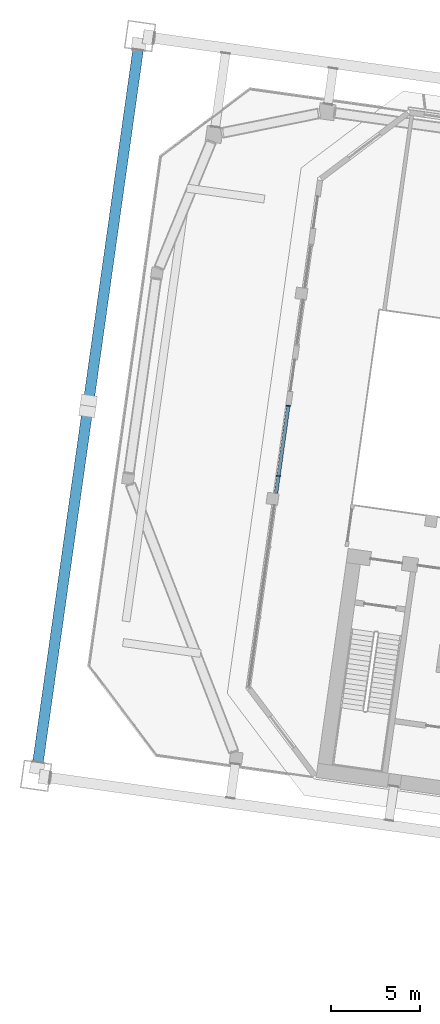
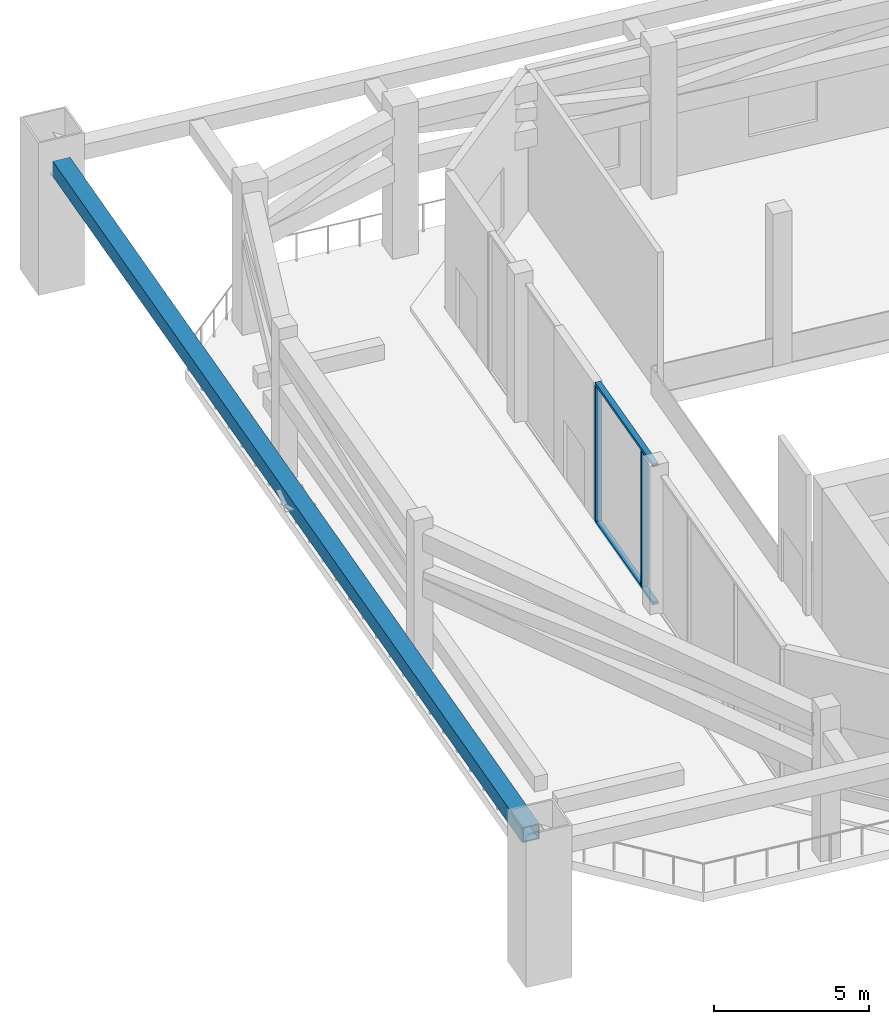
# One storey, part 3 of 41: 5 members, 1 element without a shape of its own.
"""IFC4 building model written with IfcOpenShell, lengths in metres."""

from ifc_helpers import new_model, si_unit, direction, frame, origin, origin_2d, place, context, subcontext, project, spatial, rectangle, hollow_rectangle, extrude, material, material_profile, profile_set, type_object, element, aggregate, save


model = new_model("IFC4")

# Units and contexts
model_context = context("Model", 3, precision=1e-05, world=origin(), true_north=direction((0.0, 1.0)))
body_context = subcontext(model_context, "Body", "Model", "MODEL_VIEW")
ifc_project = project(units=[si_unit("LENGTHUNIT", "METRE"), si_unit("AREAUNIT", "SQUARE_METRE"), si_unit("VOLUMEUNIT", "CUBIC_METRE"), si_unit("PLANEANGLEUNIT", "RADIAN"), si_unit("MASSUNIT", "GRAM", prefix="KILO")], contexts=[model_context])

# Site, building, storey
site_placement = place(None, origin())
site = spatial("IfcSite", under=ifc_project, at=site_placement, CompositionType="ELEMENT")
building_placement = place(site_placement, origin())
building = spatial("IfcBuilding", under=site, at=building_placement, Name="Mirante Cascada Hotel Towers", CompositionType="ELEMENT")
storey_placement = place(building_placement, frame((0.0, 0.0, 92.7)))
storey = spatial("IfcBuildingStorey", under=building, at=storey_placement, Name="L20", CompositionType="ELEMENT", Elevation=92.7)

# Member
ifc_material_1 = material(Name="Steel ASTM A572 Gr 50", Category="steel")
ifc_material_profile_1 = material_profile(ifc_material_1, hollow_rectangle(XDim=0.6, YDim=0.6, WallThickness=0.04, at=origin_2d()), Name="Box chord 600x600x40 ASTM A572 Gr 50")
ifc_profile_set_1 = profile_set([ifc_material_profile_1], Name="Steel ASTM A572 Gr 50")
member_type_1 = type_object("IfcMemberType", Name="Box chord 600x600x40 ASTM A572 Gr 50", PredefinedType="CHORD", material=ifc_profile_set_1)
member_1_placement = place(storey_placement, frame((-106.0939, -11.7244, 4.85), z_axis=(0.1391718, 0.9902683, 0.0), x_axis=(-0.9902683, 0.1391718, 0.0)))
element("IfcMember", 1, at=member_1_placement, inside=storey, type_object=member_type_1, Name="exochord T1 L20 4", PredefinedType="CHORD", context=body_context, shape_type="SweptSolid", body=[
    extrude(hollow_rectangle(XDim=0.6, YDim=0.6, WallThickness=0.04, at=origin_2d()), origin(), (0.0, 0.0, 1.0), 40.44),
])

# Curtain wall, members
ifc_material_2 = material(Name="Aluminium mullion and transom frame with clear laminated glass", Category="aluminium")
curtain_wall_type = type_object("IfcCurtainWallType", Name="Sky garden curtain wall ECW4", PredefinedType="NOTDEFINED", material=ifc_material_2)
curtain_wall_placement = place(storey_placement, origin())
curtain_wall = element("IfcCurtainWall", 2, at=curtain_wall_placement, inside=storey, type_object=curtain_wall_type, Name="Sky garden wall T1 L20 run 1", PredefinedType="NOTDEFINED")
ifc_material_3 = material(Name="Anodised aluminium extrusion", Category="aluminium")
ifc_material_profile_2 = material_profile(ifc_material_3, rectangle(XDim=0.24, YDim=0.075, at=origin_2d()), Name="ECW4 MULLION 75x240")
ifc_profile_set_2 = profile_set([ifc_material_profile_2], Name="Anodised aluminium extrusion")
member_type_2 = type_object("IfcMemberType", Name="ECW4 mullion 75x240", PredefinedType="MULLION", material=ifc_profile_set_2)
member_2_placement = place(storey_placement, frame((-92.5737, 4.361, 0.11), z_axis=(0.0, 0.0, 1.0), x_axis=(-0.9902681, 0.1391731, 0.0)))
member_2 = element("IfcMember", 3, at=member_2_placement, type_object=member_type_2, Name="ECW4 mullion 4", PredefinedType="MULLION", context=body_context, shape_type="SweptSolid", body=[
    extrude(rectangle(XDim=0.24, YDim=0.075, at=origin_2d()), origin(), (0.0, 0.0, 1.0), 5.33),
])
member_3_placement = place(storey_placement, frame((-92.0209, 8.2943, 0.11), z_axis=(0.0, 0.0, 1.0), x_axis=(-0.9902681, 0.1391731, 0.0)))
member_3 = element("IfcMember", 4, at=member_3_placement, type_object=member_type_2, Name="ECW4 mullion 5", PredefinedType="MULLION", context=body_context, shape_type="SweptSolid", body=[
    extrude(rectangle(XDim=0.24, YDim=0.075, at=origin_2d()), origin(), (0.0, 0.0, 1.0), 5.33),
])
ifc_material_4 = material(Name="Anodised aluminium extrusion", Category="aluminium")
ifc_material_profile_3 = material_profile(ifc_material_4, rectangle(XDim=0.2, YDim=0.11, at=origin_2d()), Name="ECW4 TRANSOM 110x200")
ifc_profile_set_3 = profile_set([ifc_material_profile_3], Name="Anodised aluminium extrusion")
member_type_3 = type_object("IfcMemberType", Name="ECW4 transom 110x200", PredefinedType="USERDEFINED", material=ifc_profile_set_3)
member_4_placement = place(storey_placement, frame((-92.7088, 3.3999, 0.055), z_axis=(0.1391748, 0.9902678, 0.0), x_axis=(-0.9902678, 0.1391748, 0.0)))
member_4 = element("IfcMember", 5, at=member_4_placement, type_object=member_type_3, Name="ECW4 sill transom", ObjectType="TRANSOM", PredefinedType="USERDEFINED", context=body_context, shape_type="SweptSolid", body=[
    extrude(rectangle(XDim=0.2, YDim=0.11, at=origin_2d()), origin(), (0.0, 0.0, 1.0), 4.9801),
])
member_5_placement = place(storey_placement, frame((-92.7088, 3.3999, 5.495), z_axis=(0.1391748, 0.9902678, 0.0), x_axis=(-0.9902678, 0.1391748, 0.0)))
member_5 = element("IfcMember", 6, at=member_5_placement, type_object=member_type_3, Name="ECW4 head transom", ObjectType="TRANSOM", PredefinedType="USERDEFINED", context=body_context, shape_type="SweptSolid", body=[
    extrude(rectangle(XDim=0.2, YDim=0.11, at=origin_2d()), origin(), (0.0, 0.0, 1.0), 4.9801),
])
aggregate(curtain_wall, [member_4, member_5, member_2, member_3])

save(model, "model.ifc")
